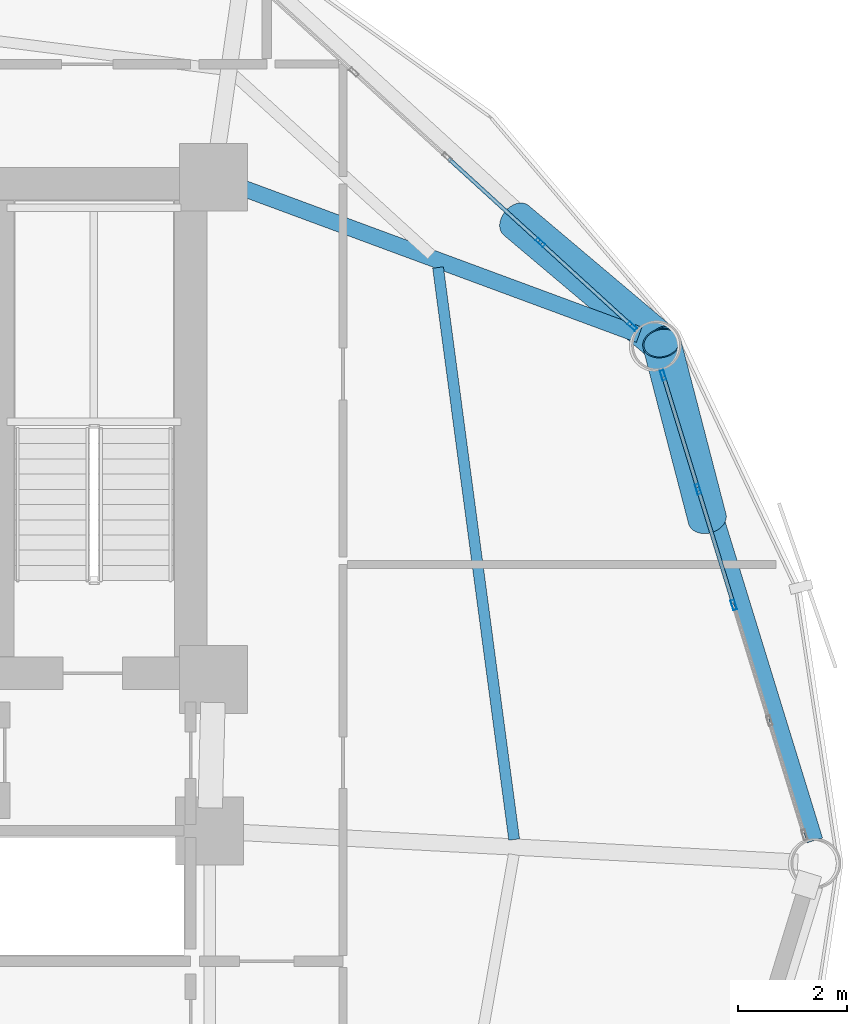
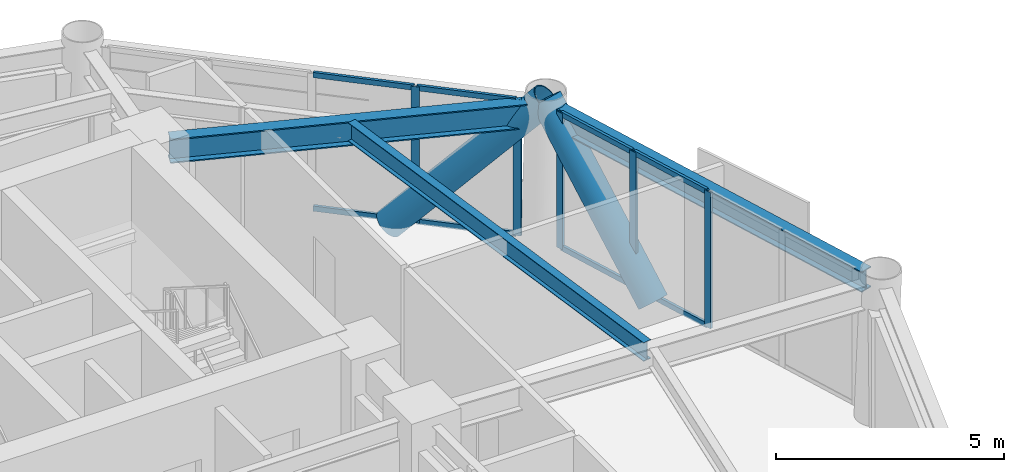
# One storey, part 16 of 26: 15 members, 3 beams, 2 elements without a shape of their own.
"""IFC4 building model written with IfcOpenShell, lengths in metres."""

from ifc_helpers import new_model, si_unit, direction, frame, origin, origin_2d, place, context, subcontext, project, spatial, hollow_rectangle, hollow_circle, i_section, extrude, material, layer, layer_set, material_profile, profile_set, type_object, element, aggregate, save


model = new_model("IFC4")

# Units and contexts
model_context = context("Model", 3, precision=1e-05, world=origin(), true_north=direction((0.0, 1.0)))
body_context = subcontext(model_context, "Body", "Model", "MODEL_VIEW")
ifc_project = project(units=[si_unit("LENGTHUNIT", "METRE"), si_unit("AREAUNIT", "SQUARE_METRE"), si_unit("VOLUMEUNIT", "CUBIC_METRE"), si_unit("PLANEANGLEUNIT", "RADIAN"), si_unit("MASSUNIT", "GRAM", prefix="KILO")], contexts=[model_context])

# Site, building, storey
site_placement = place(None, origin())
site = spatial("IfcSite", under=ifc_project, at=site_placement, CompositionType="ELEMENT")
building_placement = place(site_placement, origin())
building = spatial("IfcBuilding", under=site, at=building_placement, Name="Varnakorn Sky Granary", CompositionType="ELEMENT")
storey_placement = place(building_placement, frame((0.0, 0.0, 47.10009765625)))
storey = spatial("IfcBuildingStorey", under=building, at=storey_placement, Name="L11", CompositionType="ELEMENT", Elevation=47.10009765625)

# Beams
ifc_material_1 = material(Name="Steel S355JR", Category="steel")
ifc_material_profile_1 = material_profile(ifc_material_1, i_section(OverallWidth=0.300048828125, OverallDepth=0.64990234375, WebThickness=0.01611328125, FlangeThickness=0.031005859375, at=origin_2d()), Name="HE 650 B")
ifc_profile_set_1 = profile_set([ifc_material_profile_1], Name="Steel S355JR")
beam_type_1 = type_object("IfcBeamType", Name="BM-RAD-Z1", PredefinedType="BEAM", material=ifc_profile_set_1)
beam_1_placement = place(storey_placement, frame((8.81396484375, 12.47412109375, 3.31494140625), z_axis=(0.937827862189, -0.347100707147, 0.0), x_axis=(0.347100707147, 0.937827862189, 0.0)))
element("IfcBeam", 1, at=beam_1_placement, inside=storey, type_object=beam_type_1, Name="Radial Floor Girder RG02 L11", PredefinedType="BEAM", context=body_context, shape_type="SweptSolid", body=[
    extrude(i_section(OverallWidth=0.300048828125, OverallDepth=0.64990234375, WebThickness=0.01611328125, FlangeThickness=0.031005859375, at=origin_2d()), origin(), (0.0, 0.0, 1.0), 7.927734375),
])
ifc_material_profile_2 = material_profile(ifc_material_1, i_section(OverallWidth=0.199951171875, OverallDepth=0.5, WebThickness=0.01025390625, FlangeThickness=0.01611328125, at=origin_2d()), Name="IPE 500")
ifc_profile_set_2 = profile_set([ifc_material_profile_2], Name="Steel S355JR")
beam_type_2 = type_object("IfcBeamType", Name="BM-SEC-Z1", PredefinedType="BEAM", material=ifc_profile_set_2)
beam_2_placement = place(storey_placement, frame((13.949462890625, 0.439208984375, 3.389892578125), z_axis=(-0.131881940846, 0.991265430487, 0.0), x_axis=(-0.991265430487, -0.131881940846, 0.0)))
element("IfcBeam", 2, at=beam_2_placement, inside=storey, type_object=beam_type_2, Name="Secondary Floor Chord Beam MSB01 L11", PredefinedType="BEAM", context=body_context, shape_type="SweptSolid", body=[
    extrude(i_section(OverallWidth=0.199951171875, OverallDepth=0.5, WebThickness=0.01025390625, FlangeThickness=0.01611328125, at=origin_2d()), origin(), (0.0, 0.0, 1.0), 10.613037109375),
])
ifc_material_profile_3 = material_profile(ifc_material_1, i_section(OverallWidth=0.300048828125, OverallDepth=0.550048828125, WebThickness=0.014892578125, FlangeThickness=0.029052734375, at=origin_2d()), Name="HE 550 B")
ifc_profile_set_3 = profile_set([ifc_material_profile_3], Name="Steel S355JR")
beam_type_3 = type_object("IfcBeamType", Name="BM-SPD-Z1", PredefinedType="SPANDREL", material=ifc_profile_set_3)
beam_3_placement = place(storey_placement, frame((19.47802734375, 0.42236328125, 3.364990234375), z_axis=(-0.294132835828, 0.955764549922, 0.0), x_axis=(-0.955764549922, -0.294132835828, 0.0)))
element("IfcBeam", 3, at=beam_3_placement, inside=storey, type_object=beam_type_3, Name="Perimeter Spandrel Ring Beam RB01 L11", PredefinedType="SPANDREL", context=body_context, shape_type="SweptSolid", body=[
    extrude(i_section(OverallWidth=0.300048828125, OverallDepth=0.550048828125, WebThickness=0.014892578125, FlangeThickness=0.029052734375, at=origin_2d()), origin(), (0.0, 0.0, 1.0), 9.1279296875),
])

# Curtain wall, members
ifc_material_2 = material(Name="Anodised Bronze Aluminium Alloy 6063-T6", Category="aluminium")
ifc_layer = layer(ifc_material_2, 0.18994140625, Name="Anodised Bronze Aluminium Alloy 6063-T6")
ifc_layer_set = layer_set([ifc_layer], Name="Anodised Bronze Aluminium Alloy 6063-T6")
curtain_wall_type = type_object("IfcCurtainWallType", Name="CW-FRM-1", PredefinedType="USERDEFINED", material=ifc_layer_set)
curtain_wall_1_placement = place(storey_placement, origin())
curtain_wall_1 = element("IfcCurtainWall", 4, at=curtain_wall_1_placement, inside=storey, type_object=curtain_wall_type, Name="Unitised Curtain Wall CW3 CW-L11-B01", ObjectType="CURTAIN WALL", PredefinedType="USERDEFINED")
ifc_material_profile_4 = material_profile(ifc_material_2, hollow_rectangle(XDim=0.070068359375, YDim=0.18505859375, WallThickness=0.00390625, at=origin_2d()), Name="ALU MULL 70x185")
ifc_profile_set_4 = profile_set([ifc_material_profile_4], Name="Anodised Bronze Aluminium Alloy 6063-T6")
member_type_1 = type_object("IfcMemberType", Name="CW-FRM-1-MULL", PredefinedType="MULLION", material=ifc_profile_set_4)
member_1_placement = place(storey_placement, frame((16.6884765625, 8.979736328125, 0.0), z_axis=(0.0, 0.0, 1.0), x_axis=(0.955828241263, 0.293925795403, 0.0)))
member_1 = element("IfcMember", 5, at=member_1_placement, type_object=member_type_1, Name="CW3 mullion 1", PredefinedType="MULLION", context=body_context, shape_type="SweptSolid", body=[
    extrude(hollow_rectangle(XDim=0.070068359375, YDim=0.18505859375, WallThickness=0.00390625, at=origin_2d()), origin(), (0.0, 0.0, 1.0), 3.639892578125),
])
member_2_placement = place(storey_placement, frame((17.333251953125, 6.883544921875, 0.0), z_axis=(0.0, 0.0, 1.0), x_axis=(0.955828241263, 0.293925795403, 0.0)))
member_2 = element("IfcMember", 6, at=member_2_placement, type_object=member_type_1, Name="CW3 mullion 2", PredefinedType="MULLION", context=body_context, shape_type="SweptSolid", body=[
    extrude(hollow_rectangle(XDim=0.070068359375, YDim=0.18505859375, WallThickness=0.00390625, at=origin_2d()), origin(), (0.0, 0.0, 1.0), 3.639892578125),
])
member_3_placement = place(storey_placement, frame((17.988037109375, 4.753662109375, 0.0), z_axis=(0.0, 0.0, 1.0), x_axis=(0.955828241263, 0.293925795403, 0.0)))
member_3 = element("IfcMember", 7, at=member_3_placement, type_object=member_type_1, Name="CW3 mullion 3", PredefinedType="MULLION", context=body_context, shape_type="SweptSolid", body=[
    extrude(hollow_rectangle(XDim=0.070068359375, YDim=0.18505859375, WallThickness=0.00390625, at=origin_2d()), origin(), (0.0, 0.0, 1.0), 3.639892578125),
])

curtain_wall_2_placement = place(storey_placement, origin())
curtain_wall_2 = element("IfcCurtainWall", 8, at=curtain_wall_2_placement, inside=storey, type_object=curtain_wall_type, Name="Unitised Curtain Wall CW3 CW-L11-B02", ObjectType="CURTAIN WALL", PredefinedType="USERDEFINED")
member_4_placement = place(storey_placement, frame((14.4306640625, 11.421875, 0.0), z_axis=(0.0, 0.0, 1.0), x_axis=(0.674464438954, 0.738307334777, 0.0)))
member_4 = element("IfcMember", 9, at=member_4_placement, type_object=member_type_1, Name="CW3 mullion 4", PredefinedType="MULLION", context=body_context, shape_type="SweptSolid", body=[
    extrude(hollow_rectangle(XDim=0.070068359375, YDim=0.18505859375, WallThickness=0.00390625, at=origin_2d()), origin(), (0.0, 0.0, 1.0), 3.639892578125),
])
member_5_placement = place(storey_placement, frame((16.11865234375, 9.8798828125, 0.0), z_axis=(0.0, 0.0, 1.0), x_axis=(0.674464438954, 0.738307334777, 0.0)))
member_5 = element("IfcMember", 10, at=member_5_placement, type_object=member_type_1, Name="CW3 mullion 5", PredefinedType="MULLION", context=body_context, shape_type="SweptSolid", body=[
    extrude(hollow_rectangle(XDim=0.070068359375, YDim=0.18505859375, WallThickness=0.00390625, at=origin_2d()), origin(), (0.0, 0.0, 1.0), 3.639892578125),
])

# Member
ifc_material_profile_5 = material_profile(ifc_material_2, hollow_rectangle(XDim=0.070068359375, YDim=0.139892578125, WallThickness=0.00341796875, at=origin_2d()), Name="ALU TRAN 70x140")
ifc_profile_set_5 = profile_set([ifc_material_profile_5], Name="Anodised Bronze Aluminium Alloy 6063-T6")
member_type_2 = type_object("IfcMemberType", Name="CW-FRM-1-TRAN", PredefinedType="USERDEFINED", material=ifc_profile_set_5)
member_6_placement = place(storey_placement, frame((16.698974609375, 8.9462890625, 0.034912109375), z_axis=(0.293924231682, -0.95582872212, 0.0), x_axis=(0.95582872212, 0.293924231682, 0.0)))
member_6 = element("IfcMember", 11, at=member_6_placement, type_object=member_type_2, Name="CW3 transom 1.1", ObjectType="TRANSOM", PredefinedType="USERDEFINED", context=body_context, shape_type="SweptSolid", body=[
    extrude(hollow_rectangle(XDim=0.070068359375, YDim=0.139892578125, WallThickness=0.00341796875, at=origin_2d()), origin(), (0.0, 0.0, 1.0), 2.123046875),
])

member_7_placement = place(storey_placement, frame((16.698974609375, 8.9462890625, 3.60498046875), z_axis=(0.293924231682, -0.95582872212, 0.0), x_axis=(0.95582872212, 0.293924231682, 0.0)))
member_7 = element("IfcMember", 12, at=member_7_placement, type_object=member_type_2, Name="CW3 transom 1.2", ObjectType="TRANSOM", PredefinedType="USERDEFINED", context=body_context, shape_type="SweptSolid", body=[
    extrude(hollow_rectangle(XDim=0.070068359375, YDim=0.139892578125, WallThickness=0.00341796875, at=origin_2d()), origin(), (0.0, 0.0, 1.0), 2.123046875),
])

member_8_placement = place(storey_placement, frame((17.343505859375, 6.85009765625, 0.034912109375), z_axis=(0.293879173297, -0.955842576736, 0.0), x_axis=(0.955842576736, 0.293879173297, 0.0)))
member_8 = element("IfcMember", 13, at=member_8_placement, type_object=member_type_2, Name="CW3 transom 2.1", ObjectType="TRANSOM", PredefinedType="USERDEFINED", context=body_context, shape_type="SweptSolid", body=[
    extrude(hollow_rectangle(XDim=0.070068359375, YDim=0.139892578125, WallThickness=0.00341796875, at=origin_2d()), origin(), (0.0, 0.0, 1.0), 2.158203125),
])

member_9_placement = place(storey_placement, frame((17.343505859375, 6.85009765625, 3.60498046875), z_axis=(0.293879173297, -0.955842576736, 0.0), x_axis=(0.955842576736, 0.293879173297, 0.0)))
member_9 = element("IfcMember", 14, at=member_9_placement, type_object=member_type_2, Name="CW3 transom 2.2", ObjectType="TRANSOM", PredefinedType="USERDEFINED", context=body_context, shape_type="SweptSolid", body=[
    extrude(hollow_rectangle(XDim=0.070068359375, YDim=0.139892578125, WallThickness=0.00341796875, at=origin_2d()), origin(), (0.0, 0.0, 1.0), 2.158203125),
])

aggregate(curtain_wall_1, [member_1, member_2, member_3, member_6, member_7, member_8, member_9])

member_10_placement = place(storey_placement, frame((12.74267578125, 12.9638671875, 0.034912109375), z_axis=(0.738372794712, -0.674392775784, 0.0), x_axis=(0.674392775784, 0.738372794712, 0.0)))
member_10 = element("IfcMember", 15, at=member_10_placement, type_object=member_type_2, Name="CW3 transom 3.1", ObjectType="TRANSOM", PredefinedType="USERDEFINED", context=body_context, shape_type="SweptSolid", body=[
    extrude(hollow_rectangle(XDim=0.070068359375, YDim=0.139892578125, WallThickness=0.00341796875, at=origin_2d()), origin(), (0.0, 0.0, 1.0), 2.25146484375),
])

member_11_placement = place(storey_placement, frame((12.74267578125, 12.9638671875, 3.60498046875), z_axis=(0.738372794712, -0.674392775784, 0.0), x_axis=(0.674392775784, 0.738372794712, 0.0)))
member_11 = element("IfcMember", 16, at=member_11_placement, type_object=member_type_2, Name="CW3 transom 3.2", ObjectType="TRANSOM", PredefinedType="USERDEFINED", context=body_context, shape_type="SweptSolid", body=[
    extrude(hollow_rectangle(XDim=0.070068359375, YDim=0.139892578125, WallThickness=0.00341796875, at=origin_2d()), origin(), (0.0, 0.0, 1.0), 2.25146484375),
])

member_12_placement = place(storey_placement, frame((14.45654296875, 11.398193359375, 0.034912109375), z_axis=(0.738328085792, -0.674441723005, 0.0), x_axis=(0.674441723005, 0.738328085792, 0.0)))
member_12 = element("IfcMember", 17, at=member_12_placement, type_object=member_type_2, Name="CW3 transom 4.1", ObjectType="TRANSOM", PredefinedType="USERDEFINED", context=body_context, shape_type="SweptSolid", body=[
    extrude(hollow_rectangle(XDim=0.070068359375, YDim=0.139892578125, WallThickness=0.00341796875, at=origin_2d()), origin(), (0.0, 0.0, 1.0), 2.216552734375),
])

member_13_placement = place(storey_placement, frame((14.45654296875, 11.398193359375, 3.60498046875), z_axis=(0.738328085792, -0.674441723005, 0.0), x_axis=(0.674441723005, 0.738328085792, 0.0)))
member_13 = element("IfcMember", 18, at=member_13_placement, type_object=member_type_2, Name="CW3 transom 4.2", ObjectType="TRANSOM", PredefinedType="USERDEFINED", context=body_context, shape_type="SweptSolid", body=[
    extrude(hollow_rectangle(XDim=0.070068359375, YDim=0.139892578125, WallThickness=0.00341796875, at=origin_2d()), origin(), (0.0, 0.0, 1.0), 2.216552734375),
])

aggregate(curtain_wall_2, [member_4, member_5, member_10, member_11, member_12, member_13])

# Members
ifc_material_3 = material(Name="Steel S460M", Category="steel")
ifc_material_profile_6 = material_profile(ifc_material_3, hollow_circle(Radius=0.35546875, WallThickness=0.02490234375, at=origin_2d()), Name="CHS 711x25")
ifc_profile_set_6 = profile_set([ifc_material_profile_6], Name="Steel S460M")
member_type_3 = type_object("IfcMemberType", Name="MB-DIAG-T0", PredefinedType="BRACE", material=ifc_profile_set_6)
member_14_placement = place(storey_placement, frame((17.5009765625, 6.33837890625, -0.130126953125), z_axis=(-0.166408674479, 0.64163344679, 0.748742060404), x_axis=(-0.967975175618, -0.251045930833, 0.0)))
element("IfcMember", 19, at=member_14_placement, inside=storey, type_object=member_type_3, Name="Perimeter CHS Diagrid Brace DG01 L11", PredefinedType="BRACE", context=body_context, shape_type="SweptSolid", body=[
    extrude(hollow_circle(Radius=0.35546875, WallThickness=0.02490234375, at=origin_2d()), origin(), (0.0, 0.0, 1.0), 5.03515625),
])
member_15_placement = place(storey_placement, frame((13.98681640625, 11.827392578125, -0.130126953125), z_axis=(0.52012613999, -0.438894982203, 0.732693655695), x_axis=(0.644904028453, 0.764263563233, 0.0)))
element("IfcMember", 20, at=member_15_placement, inside=storey, type_object=member_type_3, Name="Perimeter CHS Diagrid Brace DG02 L11", PredefinedType="BRACE", context=body_context, shape_type="SweptSolid", body=[
    extrude(hollow_circle(Radius=0.35546875, WallThickness=0.02490234375, at=origin_2d()), origin(), (0.0, 0.0, 1.0), 5.1455078125),
])

save(model, "model.ifc")
